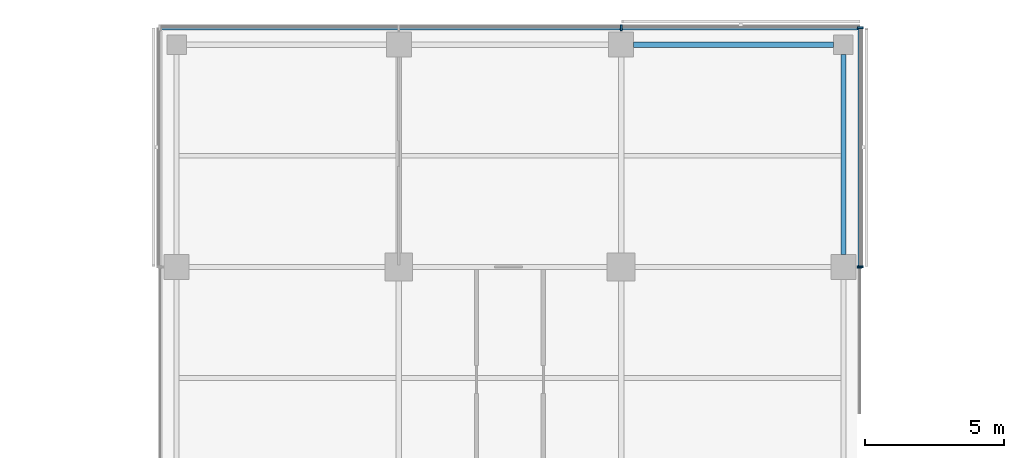
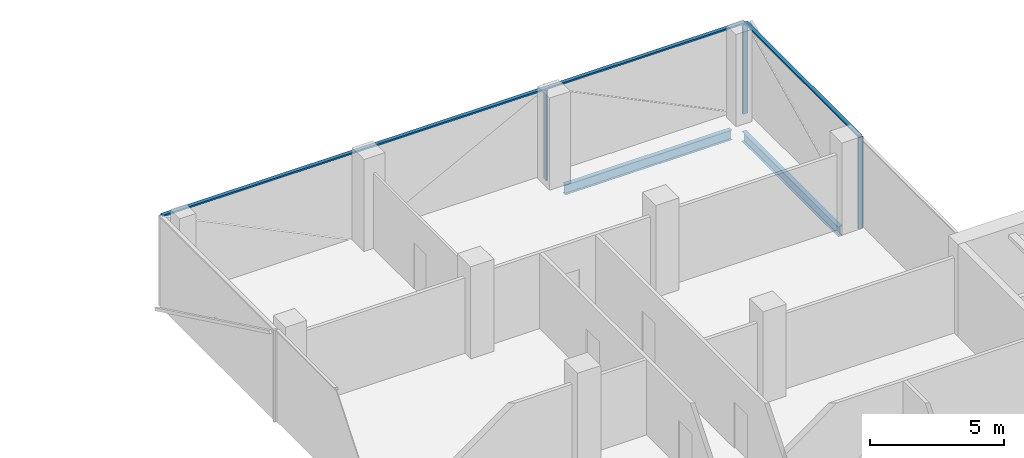
# One storey, part 10 of 22: 6 members, 2 beams, 3 elements without a shape of their own.
"""IFC4 building model written with IfcOpenShell, lengths in metres."""

from ifc_helpers import new_model, si_unit, direction, frame, origin, origin_2d, place, context, subcontext, project, spatial, rectangle, i_section, extrude, material, material_profile, profile_set, type_object, element, aggregate, save


model = new_model("IFC4")

# Units and contexts
model_context = context("Model", 3, precision=1e-05, world=origin(), true_north=direction((0.0, 1.0)))
body_context = subcontext(model_context, "Body", "Model", "MODEL_VIEW")
ifc_project = project(units=[si_unit("LENGTHUNIT", "METRE"), si_unit("AREAUNIT", "SQUARE_METRE"), si_unit("VOLUMEUNIT", "CUBIC_METRE"), si_unit("PLANEANGLEUNIT", "RADIAN"), si_unit("MASSUNIT", "GRAM", prefix="KILO")], contexts=[model_context])

# Site, building, storey
site_placement = place(None, origin())
site = spatial("IfcSite", under=ifc_project, at=site_placement, CompositionType="ELEMENT")
building_placement = place(site_placement, origin())
building = spatial("IfcBuilding", under=site, at=building_placement, Name="Crosswind Convention Tower", CompositionType="ELEMENT")
storey_placement = place(building_placement, frame((0.0, 0.0, 154.699951171875)))
storey = spatial("IfcBuildingStorey", under=building, at=storey_placement, Name="L32", CompositionType="ELEMENT", Elevation=154.699951171875)

# Beams
ifc_material_1 = material(Name="Steel S355", Category="steel")
ifc_material_profile_1 = material_profile(ifc_material_1, i_section(OverallWidth=0.18994140625, OverallDepth=0.45361328125, WebThickness=0.008544921875, FlangeThickness=0.0126953125, FilletRadius=0.01025390625, at=origin_2d()), Name="UB 457x191x67")
ifc_profile_set_1 = profile_set([ifc_material_profile_1], Name="Steel S355")
beam_type = type_object("IfcBeamType", Name="Edge beam UB 457x191x67", PredefinedType="SPANDREL", material=ifc_profile_set_1)
for number, where, z_axis, x_axis, name in (
    (1, (129.449951171875, 128.0, -0.52685546875), (1.0, 0.0, 0.0), (0.0, 1.0, 0.0), "B16 L32 edge beam 15"),
    (2, (137.0, 120.449951171875, -0.52685546875), (0.0, 1.0, 0.0), (-1.0, 0.0, 0.0), "B16 L32 edge beam 19"),
):
    element("IfcBeam", number, at=place(storey_placement, frame(where, z_axis=z_axis, x_axis=x_axis)), inside=storey, type_object=beam_type, Name=name, PredefinedType="SPANDREL", context=body_context, shape_type="SweptSolid", body=[
        extrude(i_section(OverallWidth=0.18994140625, OverallDepth=0.45361328125, WebThickness=0.008544921875, FlangeThickness=0.0126953125, FilletRadius=0.01025390625, at=origin_2d()), origin(), (0.0, 0.0, 1.0), 7.199951171875),
    ])

# Curtain wall, member
ifc_material_2 = material(Name="Aluminium unitised curtain wall", Category="aluminium")
curtain_wall_type_1 = type_object("IfcCurtainWallType", Name="CORE END SLOT WALL 160", PredefinedType="USERDEFINED", material=ifc_material_2)
curtain_wall_1_placement = place(storey_placement, origin())
curtain_wall_1 = element("IfcCurtainWall", 3, at=curtain_wall_1_placement, inside=storey, type_object=curtain_wall_type_1, Name="CW6 L32 N-E.1-1 slot", ObjectType="UNITISED", PredefinedType="USERDEFINED")
ifc_material_3 = material(Name="Aluminium mullion", Category="aluminium")
ifc_material_profile_2 = material_profile(ifc_material_3, rectangle(XDim=0.159912109375, YDim=0.050048828125, at=origin_2d()), Name="AL 160X50")
ifc_profile_set_2 = profile_set([ifc_material_profile_2], Name="Aluminium mullion")
member_type_1 = type_object("IfcMemberType", Name="MULLION 50X160", PredefinedType="MULLION", material=ifc_profile_set_2)
member_1_placement = place(storey_placement, frame((137.580078125, 119.97509765625, -0.300048828125), z_axis=(0.0, 0.0, 1.0), x_axis=(1.0, 0.0, 0.0)))
member_1 = element("IfcMember", 4, at=member_1_placement, type_object=member_type_1, Name="CW6 mullion 2", PredefinedType="MULLION", context=body_context, shape_type="SweptSolid", body=[
    extrude(rectangle(XDim=0.159912109375, YDim=0.050048828125, at=origin_2d()), origin(), (0.0, 0.0, 1.0), 4.150146484375),
])
aggregate(curtain_wall_1, [member_1])

# Curtain wall, members
curtain_wall_type_2 = type_object("IfcCurtainWallType", Name="OFFICE UNITISED WALL 220", PredefinedType="USERDEFINED", material=ifc_material_2)
curtain_wall_2_placement = place(storey_placement, origin())
curtain_wall_2 = element("IfcCurtainWall", 5, at=curtain_wall_2_placement, inside=storey, type_object=curtain_wall_type_2, Name="CW3 L32 N-E 1", ObjectType="UNITISED", PredefinedType="USERDEFINED")
ifc_material_profile_3 = material_profile(ifc_material_3, rectangle(XDim=0.219970703125, YDim=0.070068359375, at=origin_2d()), Name="AL 220X70")
ifc_profile_set_3 = profile_set([ifc_material_profile_3], Name="Aluminium mullion")
member_type_2 = type_object("IfcMemberType", Name="MULLION 70X220", PredefinedType="MULLION", material=ifc_profile_set_3)
member_2_placement = place(storey_placement, frame((137.610107421875, 120.0, -0.300048828125), z_axis=(0.0, 0.0, 1.0), x_axis=(1.0, 0.0, 0.0)))
member_2 = element("IfcMember", 6, at=member_2_placement, type_object=member_type_2, Name="CW3 mullion 1", PredefinedType="MULLION", context=body_context, shape_type="SweptSolid", body=[
    extrude(rectangle(XDim=0.219970703125, YDim=0.070068359375, at=origin_2d()), origin(), (0.0, 0.0, 1.0), 4.130126953125),
])
member_3_placement = place(storey_placement, frame((137.610107421875, 128.610107421875, -0.300048828125), z_axis=(0.0, 0.0, 1.0), x_axis=(1.0, 0.0, 0.0)))
member_3 = element("IfcMember", 7, at=member_3_placement, type_object=member_type_2, Name="CW3 mullion 2", PredefinedType="MULLION", context=body_context, shape_type="SweptSolid", body=[
    extrude(rectangle(XDim=0.219970703125, YDim=0.070068359375, at=origin_2d()), origin(), (0.0, 0.0, 1.0), 4.130126953125),
])

# Curtain wall, member
curtain_wall_3_placement = place(storey_placement, origin())
curtain_wall_3 = element("IfcCurtainWall", 8, at=curtain_wall_3_placement, inside=storey, type_object=curtain_wall_type_2, Name="CW3 L32 N-TIP 1", ObjectType="UNITISED", PredefinedType="USERDEFINED")
member_4_placement = place(storey_placement, frame((129.0, 128.610107421875, -0.300048828125), z_axis=(0.0, 0.0, 1.0), x_axis=(0.0, 1.0, 0.0)))
member_4 = element("IfcMember", 9, at=member_4_placement, type_object=member_type_2, Name="CW3 mullion 2", PredefinedType="MULLION", context=body_context, shape_type="SweptSolid", body=[
    extrude(rectangle(XDim=0.219970703125, YDim=0.070068359375, at=origin_2d()), origin(), (0.0, 0.0, 1.0), 4.130126953125),
])

# Member
ifc_material_4 = material(Name="Aluminium transom", Category="aluminium")
ifc_material_profile_4 = material_profile(ifc_material_4, rectangle(XDim=0.159912109375, YDim=0.070068359375, at=origin_2d()), Name="AL 160X70")
ifc_profile_set_4 = profile_set([ifc_material_profile_4], Name="Aluminium transom")
member_type_3 = type_object("IfcMemberType", Name="TRANSOM 70X160", PredefinedType="USERDEFINED", material=ifc_profile_set_4)
member_5_placement = place(storey_placement, frame((137.610107421875, 120.034912109375, 3.864990234375), z_axis=(0.0, 1.0, 0.0), x_axis=(-1.0, 0.0, 0.0)))
member_5 = element("IfcMember", 10, at=member_5_placement, type_object=member_type_3, Name="CW3 transom", ObjectType="TRANSOM", PredefinedType="USERDEFINED", context=body_context, shape_type="SweptSolid", body=[
    extrude(rectangle(XDim=0.159912109375, YDim=0.070068359375, at=origin_2d()), origin(), (0.0, 0.0, 1.0), 8.5400390625),
])

aggregate(curtain_wall_2, [member_2, member_3, member_5])

member_6_placement = place(storey_placement, frame((137.574951171875, 128.610107421875, 3.864990234375), z_axis=(-1.0, 0.0, 0.0), x_axis=(0.0, -1.0, 0.0)))
member_6 = element("IfcMember", 11, at=member_6_placement, type_object=member_type_3, Name="CW3 transom", ObjectType="TRANSOM", PredefinedType="USERDEFINED", context=body_context, shape_type="SweptSolid", body=[
    extrude(rectangle(XDim=0.159912109375, YDim=0.070068359375, at=origin_2d()), origin(), (0.0, 0.0, 1.0), 25.14990234375),
])

aggregate(curtain_wall_3, [member_4, member_6])

save(model, "model.ifc")
